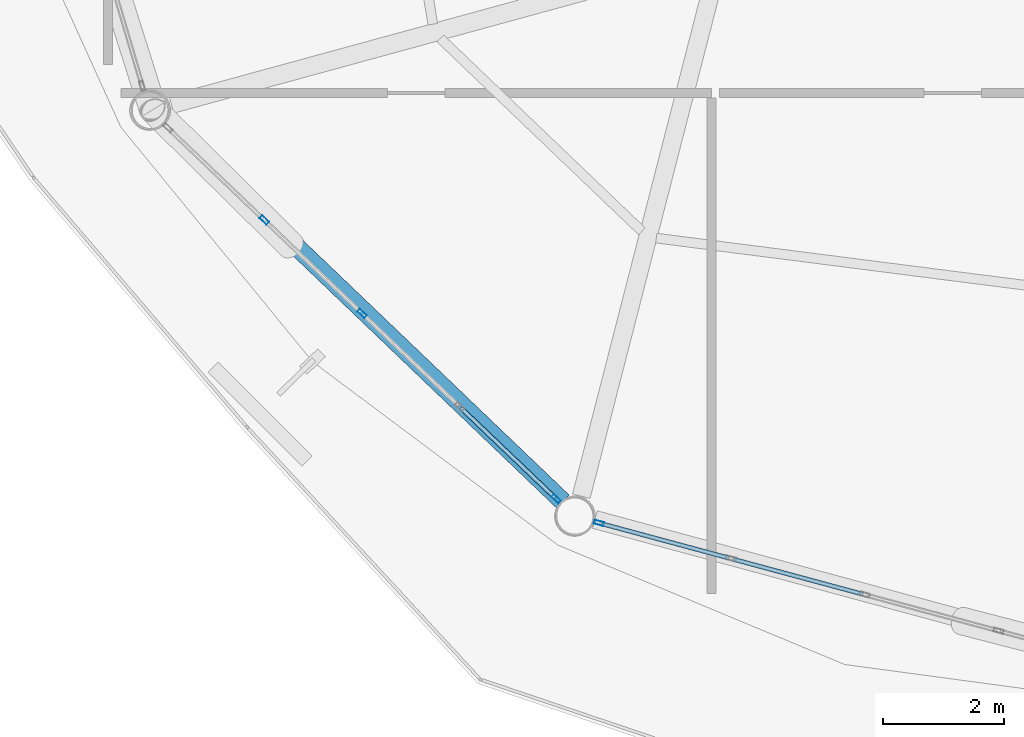
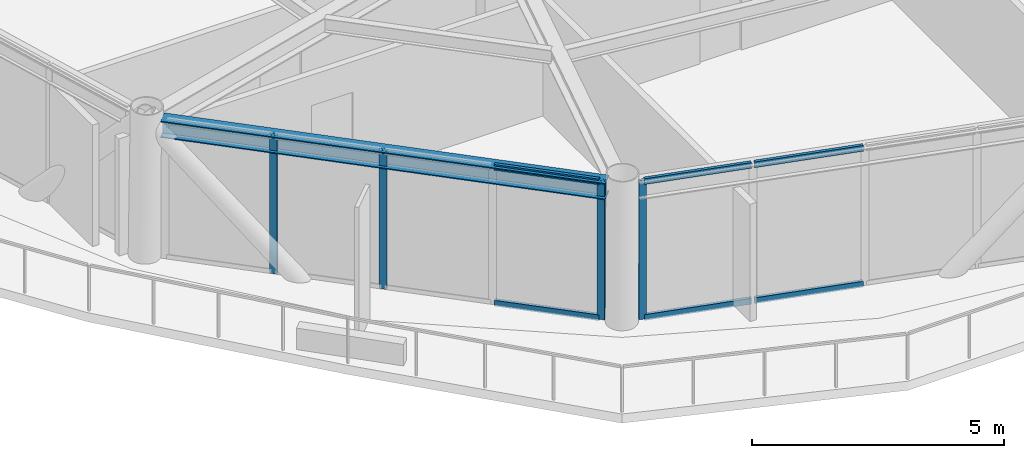
# One storey, part 2 of 28: 10 members, 1 beam, 2 elements without a shape of their own.
"""IFC4 building model written with IfcOpenShell, lengths in metres."""

from ifc_helpers import new_model, si_unit, direction, frame, origin, origin_2d, place, context, subcontext, project, spatial, hollow_rectangle, i_section, extrude, material, layer, layer_set, material_profile, profile_set, type_object, element, aggregate, save


model = new_model("IFC4")

# Units and contexts
model_context = context("Model", 3, precision=1e-05, world=origin(), true_north=direction((0.0, 1.0)))
body_context = subcontext(model_context, "Body", "Model", "MODEL_VIEW")
ifc_project = project(units=[si_unit("LENGTHUNIT", "METRE"), si_unit("AREAUNIT", "SQUARE_METRE"), si_unit("VOLUMEUNIT", "CUBIC_METRE"), si_unit("PLANEANGLEUNIT", "RADIAN"), si_unit("MASSUNIT", "GRAM", prefix="KILO")], contexts=[model_context])

# Site, building, storey
site_placement = place(None, origin())
site = spatial("IfcSite", under=ifc_project, at=site_placement, CompositionType="ELEMENT")
building_placement = place(site_placement, origin())
building = spatial("IfcBuilding", under=site, at=building_placement, Name="Varnakorn Sky Granary", CompositionType="ELEMENT")
storey_placement = place(building_placement, frame((0.0, 0.0, 200.39990234375)))
storey = spatial("IfcBuildingStorey", under=building, at=storey_placement, Name="L50", CompositionType="ELEMENT", Elevation=200.39990234375)

# Beam
ifc_material_1 = material(Name="Steel S355JR", Category="steel")
ifc_material_profile_1 = material_profile(ifc_material_1, i_section(OverallWidth=0.300048828125, OverallDepth=0.39990234375, WebThickness=0.013427734375, FlangeThickness=0.02392578125, at=origin_2d()), Name="HE 400 B")
ifc_profile_set_1 = profile_set([ifc_material_profile_1], Name="Steel S355JR")
beam_type = type_object("IfcBeamType", Name="BM-SPD-Z4", PredefinedType="SPANDREL", material=ifc_profile_set_1)
beam_placement = place(storey_placement, frame((-11.526611328125, -9.389892578125, 3.16015625), z_axis=(0.722551948121, -0.691316629531, 0.0), x_axis=(0.691316629531, 0.722551948121, 0.0)))
element("IfcBeam", 1, at=beam_placement, inside=storey, type_object=beam_type, Name="Perimeter Spandrel Ring Beam RB08 L50", PredefinedType="SPANDREL", context=body_context, shape_type="SweptSolid", body=[
    extrude(i_section(OverallWidth=0.300048828125, OverallDepth=0.39990234375, WebThickness=0.013427734375, FlangeThickness=0.02392578125, at=origin_2d()), origin(), (0.0, 0.0, 1.0), 9.082275390625),
])

# Curtain wall, members
ifc_material_2 = material(Name="Anodised Bronze Aluminium Alloy 6063-T6", Category="aluminium")
ifc_layer = layer(ifc_material_2, 0.169921875, Name="Anodised Bronze Aluminium Alloy 6063-T6")
ifc_layer_set = layer_set([ifc_layer], Name="Anodised Bronze Aluminium Alloy 6063-T6")
curtain_wall_type = type_object("IfcCurtainWallType", Name="CW-LAB-1", PredefinedType="USERDEFINED", material=ifc_layer_set)
curtain_wall_1_placement = place(storey_placement, origin())
curtain_wall_1 = element("IfcCurtainWall", 2, at=curtain_wall_1_placement, inside=storey, type_object=curtain_wall_type, Name="Unitised Curtain Wall CW5 CW-L50-B08", ObjectType="CURTAIN WALL", PredefinedType="USERDEFINED")
ifc_material_profile_2 = material_profile(ifc_material_2, hollow_rectangle(XDim=0.06494140625, YDim=0.159912109375, WallThickness=0.00341796875, at=origin_2d()), Name="ALU MULL 65x160")
ifc_profile_set_2 = profile_set([ifc_material_profile_2], Name="Anodised Bronze Aluminium Alloy 6063-T6")
member_type_1 = type_object("IfcMemberType", Name="CW-LAB-1-MULL", PredefinedType="MULLION", material=ifc_profile_set_2)
member_1_placement = place(storey_placement, frame((-5.075927734375, -15.6240234375, 0.0), z_axis=(0.0, 0.0, 1.0), x_axis=(-0.690696852284, -0.723144424195, 0.0)))
member_1 = element("IfcMember", 3, at=member_1_placement, type_object=member_type_1, Name="CW5 mullion 1", PredefinedType="MULLION", context=body_context, shape_type="SweptSolid", body=[
    extrude(hollow_rectangle(XDim=0.06494140625, YDim=0.159912109375, WallThickness=0.00341796875, at=origin_2d()), origin(), (0.0, 0.0, 1.0), 3.360107421875),
])
member_2_placement = place(storey_placement, frame((-8.291748046875, -12.552490234375, 0.0), z_axis=(0.0, 0.0, 1.0), x_axis=(-0.690696852284, -0.723144424195, 0.0)))
member_2 = element("IfcMember", 4, at=member_2_placement, type_object=member_type_1, Name="CW5 mullion 3", PredefinedType="MULLION", context=body_context, shape_type="SweptSolid", body=[
    extrude(hollow_rectangle(XDim=0.06494140625, YDim=0.159912109375, WallThickness=0.00341796875, at=origin_2d()), origin(), (0.0, 0.0, 1.0), 3.360107421875),
])
member_3_placement = place(storey_placement, frame((-9.91162109375, -11.00537109375, 0.0), z_axis=(0.0, 0.0, 1.0), x_axis=(-0.690696852284, -0.723144424195, 0.0)))
member_3 = element("IfcMember", 5, at=member_3_placement, type_object=member_type_1, Name="CW5 mullion 4", PredefinedType="MULLION", context=body_context, shape_type="SweptSolid", body=[
    extrude(hollow_rectangle(XDim=0.06494140625, YDim=0.159912109375, WallThickness=0.00341796875, at=origin_2d()), origin(), (0.0, 0.0, 1.0), 3.360107421875),
])

# Curtain wall, member
curtain_wall_2_placement = place(storey_placement, origin())
curtain_wall_2 = element("IfcCurtainWall", 6, at=curtain_wall_2_placement, inside=storey, type_object=curtain_wall_type, Name="Unitised Curtain Wall CW5 CW-L50-B09", ObjectType="CURTAIN WALL", PredefinedType="USERDEFINED")
member_4_placement = place(storey_placement, frame((-4.362548828125, -16.02587890625, 0.0), z_axis=(0.0, 0.0, 1.0), x_axis=(-0.260643020154, -0.965435246946, 0.0)))
member_4 = element("IfcMember", 7, at=member_4_placement, type_object=member_type_1, Name="CW5 mullion 5", PredefinedType="MULLION", context=body_context, shape_type="SweptSolid", body=[
    extrude(hollow_rectangle(XDim=0.06494140625, YDim=0.159912109375, WallThickness=0.00341796875, at=origin_2d()), origin(), (0.0, 0.0, 1.0), 3.360107421875),
])

# Member
ifc_material_profile_3 = material_profile(ifc_material_2, hollow_rectangle(XDim=0.070068359375, YDim=0.139892578125, WallThickness=0.00341796875, at=origin_2d()), Name="ALU TRAN 70x140")
ifc_profile_set_3 = profile_set([ifc_material_profile_3], Name="Anodised Bronze Aluminium Alloy 6063-T6")
member_type_2 = type_object("IfcMemberType", Name="CW-LAB-1-TRAN", PredefinedType="USERDEFINED", material=ifc_profile_set_3)
member_5_placement = place(storey_placement, frame((-5.099609375, -15.6015625, 0.03515625), z_axis=(-0.72310452813, 0.690738620173, 0.0), x_axis=(-0.690738620173, -0.72310452813, 0.0)))
member_5 = element("IfcMember", 8, at=member_5_placement, type_object=member_type_2, Name="CW5 transom 1.1", ObjectType="TRANSOM", PredefinedType="USERDEFINED", context=body_context, shape_type="SweptSolid", body=[
    extrude(hollow_rectangle(XDim=0.070068359375, YDim=0.139892578125, WallThickness=0.00341796875, at=origin_2d()), origin(), (0.0, 0.0, 1.0), 2.142333984375),
])

member_6_placement = place(storey_placement, frame((-5.099609375, -15.6015625, 3.3251953125), z_axis=(-0.72310452813, 0.690738620173, 0.0), x_axis=(-0.690738620173, -0.72310452813, 0.0)))
member_6 = element("IfcMember", 9, at=member_6_placement, type_object=member_type_2, Name="CW5 transom 1.2", ObjectType="TRANSOM", PredefinedType="USERDEFINED", context=body_context, shape_type="SweptSolid", body=[
    extrude(hollow_rectangle(XDim=0.070068359375, YDim=0.139892578125, WallThickness=0.00341796875, at=origin_2d()), origin(), (0.0, 0.0, 1.0), 2.142333984375),
])

aggregate(curtain_wall_1, [member_1, member_2, member_3, member_5, member_6])

member_7_placement = place(storey_placement, frame((0.00830078125, -17.205810546875, 0.03515625), z_axis=(-0.965434865019, 0.260644434827, 0.0), x_axis=(-0.260644434827, -0.965434865019, 0.0)))
member_7 = element("IfcMember", 10, at=member_7_placement, type_object=member_type_2, Name="CW5 transom 3.1", ObjectType="TRANSOM", PredefinedType="USERDEFINED", context=body_context, shape_type="SweptSolid", body=[
    extrude(hollow_rectangle(XDim=0.070068359375, YDim=0.139892578125, WallThickness=0.00341796875, at=origin_2d()), origin(), (0.0, 0.0, 1.0), 2.231201171875),
])

member_8_placement = place(storey_placement, frame((0.00830078125, -17.205810546875, 3.3251953125), z_axis=(-0.965434865019, 0.260644434827, 0.0), x_axis=(-0.260644434827, -0.965434865019, 0.0)))
member_8 = element("IfcMember", 11, at=member_8_placement, type_object=member_type_2, Name="CW5 transom 3.2", ObjectType="TRANSOM", PredefinedType="USERDEFINED", context=body_context, shape_type="SweptSolid", body=[
    extrude(hollow_rectangle(XDim=0.070068359375, YDim=0.139892578125, WallThickness=0.00341796875, at=origin_2d()), origin(), (0.0, 0.0, 1.0), 2.231201171875),
])

member_9_placement = place(storey_placement, frame((-2.20849609375, -16.607421875, 0.03515625), z_axis=(-0.965447242765, 0.260598582952, 0.0), x_axis=(-0.260598582952, -0.965447242765, 0.0)))
member_9 = element("IfcMember", 12, at=member_9_placement, type_object=member_type_2, Name="CW5 transom 4.1", ObjectType="TRANSOM", PredefinedType="USERDEFINED", context=body_context, shape_type="SweptSolid", body=[
    extrude(hollow_rectangle(XDim=0.070068359375, YDim=0.139892578125, WallThickness=0.00341796875, at=origin_2d()), origin(), (0.0, 0.0, 1.0), 2.19873046875),
])

member_10_placement = place(storey_placement, frame((-2.20849609375, -16.607421875, 3.3251953125), z_axis=(-0.965447242765, 0.260598582952, 0.0), x_axis=(-0.260598582952, -0.965447242765, 0.0)))
member_10 = element("IfcMember", 13, at=member_10_placement, type_object=member_type_2, Name="CW5 transom 4.2", ObjectType="TRANSOM", PredefinedType="USERDEFINED", context=body_context, shape_type="SweptSolid", body=[
    extrude(hollow_rectangle(XDim=0.070068359375, YDim=0.139892578125, WallThickness=0.00341796875, at=origin_2d()), origin(), (0.0, 0.0, 1.0), 2.19873046875),
])

aggregate(curtain_wall_2, [member_4, member_7, member_8, member_9, member_10])

save(model, "model.ifc")
